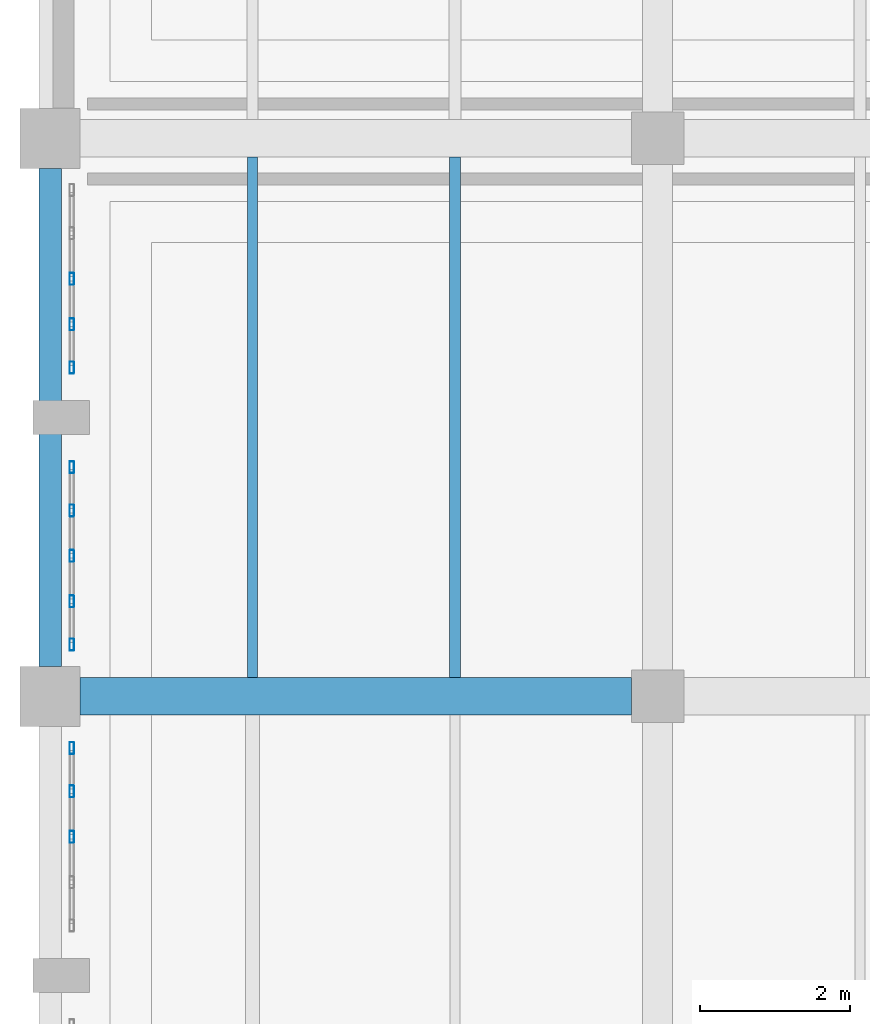
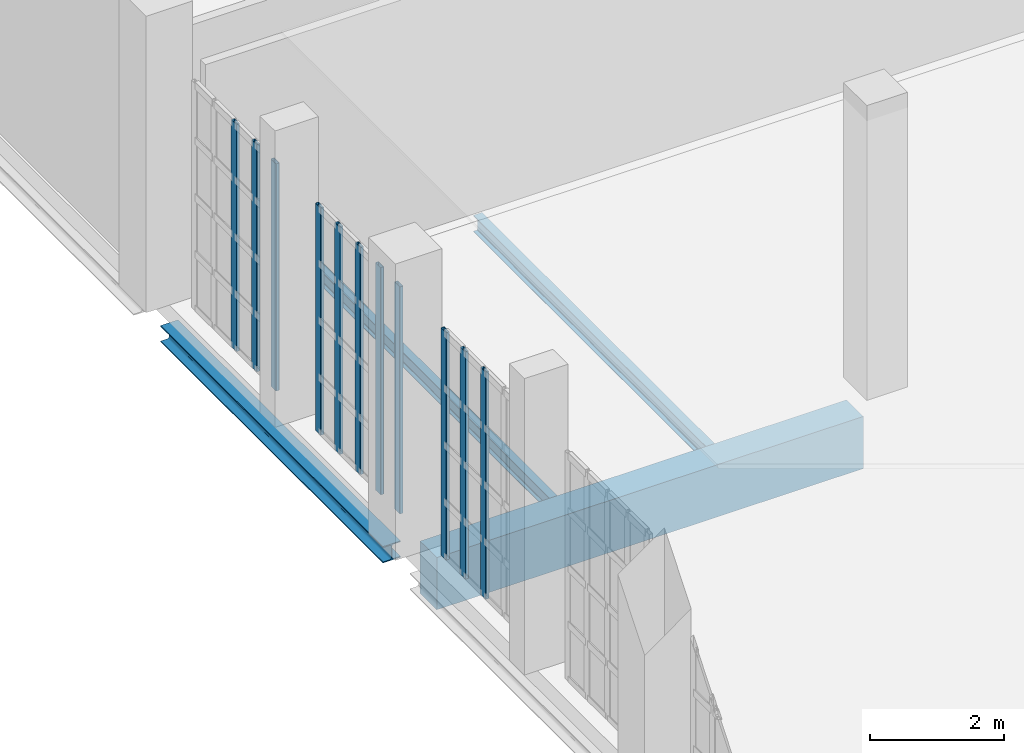
# One storey, part 244 of 372: 11 members, 4 beams, 3 elements without a shape of their own.
"""IFC4 building model written with IfcOpenShell, lengths in metres."""

from ifc_helpers import new_model, si_unit, direction, frame, origin, origin_2d, place, context, subcontext, project, spatial, rectangle, hollow_rectangle, i_section, extrude, material, material_profile, profile_set, type_object, element, aggregate, save


model = new_model("IFC4")

# Units and contexts
model_context = context("Model", 3, precision=1e-05, world=origin(), true_north=direction((0.0, 1.0)))
body_context = subcontext(model_context, "Body", "Model", "MODEL_VIEW")
ifc_project = project(units=[si_unit("LENGTHUNIT", "METRE"), si_unit("AREAUNIT", "SQUARE_METRE"), si_unit("VOLUMEUNIT", "CUBIC_METRE"), si_unit("PLANEANGLEUNIT", "RADIAN"), si_unit("MASSUNIT", "GRAM", prefix="KILO")], contexts=[model_context])

# Site, building, storey
site_placement = place(None, origin())
site = spatial("IfcSite", under=ifc_project, at=site_placement, CompositionType="ELEMENT")
building_placement = place(site_placement, origin())
building = spatial("IfcBuilding", under=site, at=building_placement, Name="Kaelora Sail Theatre", CompositionType="ELEMENT")
storey_placement = place(building_placement, origin())
storey = spatial("IfcBuildingStorey", under=building, at=storey_placement, Name="L00", CompositionType="ELEMENT", Elevation=0.0)

# Curtain wall, members
ifc_material_1 = material(Name="Anodised aluminium and solar-control low-E IGU", Category="aluminium")
curtain_wall_type = type_object("IfcCurtainWallType", Name="ARC-CW-CW-FOY1", PredefinedType="NOTDEFINED", material=ifc_material_1)
curtain_wall_1_placement = place(storey_placement, origin())
curtain_wall_1 = element("IfcCurtainWall", 1, at=curtain_wall_1_placement, inside=storey, type_object=curtain_wall_type, Name="Glazed Colonnade/Courtyard Curtain Wall FW1-W-L00-04", PredefinedType="NOTDEFINED")
ifc_material_2 = material(Name="Anodised aluminium 6063-T6", Category="aluminium")
ifc_material_profile_1 = material_profile(ifc_material_2, hollow_rectangle(XDim=0.06005859375, YDim=0.159912109375, WallThickness=0.00390625, InnerFilletRadius=0.00390625, OuterFilletRadius=0.008056640625, at=origin_2d()), Name="ALU-MULL 60x160x4")
ifc_profile_set_1 = profile_set([ifc_material_profile_1], Name="Anodised aluminium 6063-T6")
member_type = type_object("IfcMemberType", Name="ARC-MEM-ML-160", PredefinedType="MULLION", material=ifc_profile_set_1)
member_1_placement = place(storey_placement, frame((1.7900390625, 74.027587890625, 0.0), z_axis=(0.0, 0.0, 1.0), x_axis=(-1.0, 0.0, 0.0)))
member_1 = element("IfcMember", 2, at=member_1_placement, type_object=member_type, Name="CW-FOY1 mullion 3", PredefinedType="MULLION", context=body_context, shape_type="SweptSolid", body=[
    extrude(hollow_rectangle(XDim=0.06005859375, YDim=0.159912109375, WallThickness=0.00390625, InnerFilletRadius=0.00390625, OuterFilletRadius=0.008056640625, at=origin_2d()), origin(), (0.0, 0.0, 1.0), 4.136962890625),
])
member_2_placement = place(storey_placement, frame((1.7900390625, 74.6337890625, 0.0), z_axis=(0.0, 0.0, 1.0), x_axis=(-1.0, 0.0, 0.0)))
member_2 = element("IfcMember", 3, at=member_2_placement, type_object=member_type, Name="CW-FOY1 mullion 4", PredefinedType="MULLION", context=body_context, shape_type="SweptSolid", body=[
    extrude(hollow_rectangle(XDim=0.06005859375, YDim=0.159912109375, WallThickness=0.00390625, InnerFilletRadius=0.00390625, OuterFilletRadius=0.008056640625, at=origin_2d()), origin(), (0.0, 0.0, 1.0), 4.136962890625),
])
member_3_placement = place(storey_placement, frame((1.7900390625, 75.2099609375, 0.0), z_axis=(0.0, 0.0, 1.0), x_axis=(-1.0, 0.0, 0.0)))
member_3 = element("IfcMember", 4, at=member_3_placement, type_object=member_type, Name="CW-FOY1 mullion 5", PredefinedType="MULLION", context=body_context, shape_type="SweptSolid", body=[
    extrude(hollow_rectangle(XDim=0.06005859375, YDim=0.159912109375, WallThickness=0.00390625, InnerFilletRadius=0.00390625, OuterFilletRadius=0.008056640625, at=origin_2d()), origin(), (0.0, 0.0, 1.0), 4.136962890625),
])
aggregate(curtain_wall_1, [member_1, member_2, member_3])

curtain_wall_2_placement = place(storey_placement, origin())
curtain_wall_2 = element("IfcCurtainWall", 5, at=curtain_wall_2_placement, inside=storey, type_object=curtain_wall_type, Name="Glazed Colonnade/Courtyard Curtain Wall FW1-W-L00-05", PredefinedType="NOTDEFINED")
member_4_placement = place(storey_placement, frame((1.7900390625, 76.590087890625, 0.0), z_axis=(0.0, 0.0, 1.0), x_axis=(-1.0, 0.0, 0.0)))
member_4 = element("IfcMember", 6, at=member_4_placement, type_object=member_type, Name="CW-FOY1 mullion 1", PredefinedType="MULLION", context=body_context, shape_type="SweptSolid", body=[
    extrude(hollow_rectangle(XDim=0.06005859375, YDim=0.159912109375, WallThickness=0.00390625, InnerFilletRadius=0.00390625, OuterFilletRadius=0.008056640625, at=origin_2d()), origin(), (0.0, 0.0, 1.0), 4.136962890625),
])
member_5_placement = place(storey_placement, frame((1.7900390625, 77.166259765625, 0.0), z_axis=(0.0, 0.0, 1.0), x_axis=(-1.0, 0.0, 0.0)))
member_5 = element("IfcMember", 7, at=member_5_placement, type_object=member_type, Name="CW-FOY1 mullion 2", PredefinedType="MULLION", context=body_context, shape_type="SweptSolid", body=[
    extrude(hollow_rectangle(XDim=0.06005859375, YDim=0.159912109375, WallThickness=0.00390625, InnerFilletRadius=0.00390625, OuterFilletRadius=0.008056640625, at=origin_2d()), origin(), (0.0, 0.0, 1.0), 4.136962890625),
])
member_6_placement = place(storey_placement, frame((1.7900390625, 77.7724609375, 0.0), z_axis=(0.0, 0.0, 1.0), x_axis=(-1.0, 0.0, 0.0)))
member_6 = element("IfcMember", 8, at=member_6_placement, type_object=member_type, Name="CW-FOY1 mullion 3", PredefinedType="MULLION", context=body_context, shape_type="SweptSolid", body=[
    extrude(hollow_rectangle(XDim=0.06005859375, YDim=0.159912109375, WallThickness=0.00390625, InnerFilletRadius=0.00390625, OuterFilletRadius=0.008056640625, at=origin_2d()), origin(), (0.0, 0.0, 1.0), 4.136962890625),
])
member_7_placement = place(storey_placement, frame((1.7900390625, 78.378662109375, 0.0), z_axis=(0.0, 0.0, 1.0), x_axis=(-1.0, 0.0, 0.0)))
member_7 = element("IfcMember", 9, at=member_7_placement, type_object=member_type, Name="CW-FOY1 mullion 4", PredefinedType="MULLION", context=body_context, shape_type="SweptSolid", body=[
    extrude(hollow_rectangle(XDim=0.06005859375, YDim=0.159912109375, WallThickness=0.00390625, InnerFilletRadius=0.00390625, OuterFilletRadius=0.008056640625, at=origin_2d()), origin(), (0.0, 0.0, 1.0), 4.136962890625),
])
member_8_placement = place(storey_placement, frame((1.7900390625, 78.955078125, 0.0), z_axis=(0.0, 0.0, 1.0), x_axis=(-1.0, 0.0, 0.0)))
member_8 = element("IfcMember", 10, at=member_8_placement, type_object=member_type, Name="CW-FOY1 mullion 5", PredefinedType="MULLION", context=body_context, shape_type="SweptSolid", body=[
    extrude(hollow_rectangle(XDim=0.06005859375, YDim=0.159912109375, WallThickness=0.00390625, InnerFilletRadius=0.00390625, OuterFilletRadius=0.008056640625, at=origin_2d()), origin(), (0.0, 0.0, 1.0), 4.136962890625),
])
aggregate(curtain_wall_2, [member_4, member_5, member_6, member_7, member_8])

curtain_wall_3_placement = place(storey_placement, origin())
curtain_wall_3 = element("IfcCurtainWall", 11, at=curtain_wall_3_placement, inside=storey, type_object=curtain_wall_type, Name="Glazed Colonnade/Courtyard Curtain Wall FW1-W-L00-06", PredefinedType="NOTDEFINED")
member_9_placement = place(storey_placement, frame((1.7900390625, 80.284912109375, 0.0), z_axis=(0.0, 0.0, 1.0), x_axis=(-1.0, 0.0, 0.0)))
member_9 = element("IfcMember", 12, at=member_9_placement, type_object=member_type, Name="CW-FOY1 mullion 1", PredefinedType="MULLION", context=body_context, shape_type="SweptSolid", body=[
    extrude(hollow_rectangle(XDim=0.06005859375, YDim=0.159912109375, WallThickness=0.00390625, InnerFilletRadius=0.00390625, OuterFilletRadius=0.008056640625, at=origin_2d()), origin(), (0.0, 0.0, 1.0), 4.136962890625),
])
member_10_placement = place(storey_placement, frame((1.7900390625, 80.861328125, 0.0), z_axis=(0.0, 0.0, 1.0), x_axis=(-1.0, 0.0, 0.0)))
member_10 = element("IfcMember", 13, at=member_10_placement, type_object=member_type, Name="CW-FOY1 mullion 2", PredefinedType="MULLION", context=body_context, shape_type="SweptSolid", body=[
    extrude(hollow_rectangle(XDim=0.06005859375, YDim=0.159912109375, WallThickness=0.00390625, InnerFilletRadius=0.00390625, OuterFilletRadius=0.008056640625, at=origin_2d()), origin(), (0.0, 0.0, 1.0), 4.136962890625),
])
member_11_placement = place(storey_placement, frame((1.7900390625, 81.467529296875, 0.0), z_axis=(0.0, 0.0, 1.0), x_axis=(-1.0, 0.0, 0.0)))
member_11 = element("IfcMember", 14, at=member_11_placement, type_object=member_type, Name="CW-FOY1 mullion 3", PredefinedType="MULLION", context=body_context, shape_type="SweptSolid", body=[
    extrude(hollow_rectangle(XDim=0.06005859375, YDim=0.159912109375, WallThickness=0.00390625, InnerFilletRadius=0.00390625, OuterFilletRadius=0.008056640625, at=origin_2d()), origin(), (0.0, 0.0, 1.0), 4.136962890625),
])
aggregate(curtain_wall_3, [member_9, member_10, member_11])

# Beams
ifc_material_3 = material(Name="Concrete C45/55", Category="concrete")
ifc_material_profile_2 = material_profile(ifc_material_3, rectangle(XDim=0.5, YDim=0.949951171875, at=origin_2d()), Name="RC-GRD 500x950")
ifc_profile_set_2 = profile_set([ifc_material_profile_2], Name="Concrete C45/55")
beam_type_1 = type_object("IfcBeamType", Name="STR-BM-GR-RC5095", PredefinedType="T_BEAM", material=ifc_profile_set_2)
beam_1_placement = place(storey_placement, frame((1.89990234375, 75.89990234375, -0.794921875), z_axis=(1.0, 0.0, 0.0), x_axis=(0.0, 1.0, 0.0)))
element("IfcBeam", 15, at=beam_1_placement, inside=storey, type_object=beam_type_1, Name="Primary beam K 1-2 (L00)", PredefinedType="T_BEAM", context=body_context, shape_type="SweptSolid", body=[
    extrude(rectangle(XDim=0.5, YDim=0.949951171875, at=origin_2d()), origin(), (0.0, 0.0, 1.0), 7.35009765625),
])
ifc_material_4 = material(Name="Steel S355", Category="steel")
ifc_material_profile_3 = material_profile(ifc_material_4, i_section(OverallWidth=0.135009765625, OverallDepth=0.27001953125, WebThickness=0.006591796875, FlangeThickness=0.01025390625, FilletRadius=0.014892578125, at=origin_2d()), Name="IPE 270")
ifc_profile_set_3 = profile_set([ifc_material_profile_3], Name="Steel S355")
beam_type_2 = type_object("IfcBeamType", Name="STR-BM-JS-IPE270", PredefinedType="JOIST", material=ifc_profile_set_3)
beam_2_placement = place(storey_placement, frame((4.199951171875, 76.14990234375, -0.455078125), z_axis=(0.0, 1.0, 0.0), x_axis=(-1.0, 0.0, 0.0)))
element("IfcBeam", 16, at=beam_2_placement, inside=storey, type_object=beam_type_2, Name="Secondary floor joist 1/K-1 (L00)", PredefinedType="JOIST", context=body_context, shape_type="SweptSolid", body=[
    extrude(i_section(OverallWidth=0.135009765625, OverallDepth=0.27001953125, WebThickness=0.006591796875, FlangeThickness=0.01025390625, FilletRadius=0.014892578125, at=origin_2d()), origin(), (0.0, 0.0, 1.0), 6.940185546875),
])
ifc_material_5 = material(Name="Steel S355", Category="steel")
ifc_material_profile_4 = material_profile(ifc_material_5, i_section(OverallWidth=0.14990234375, OverallDepth=0.300048828125, WebThickness=0.007080078125, FlangeThickness=0.0107421875, FilletRadius=0.014892578125, at=origin_2d()), Name="IPE 300")
ifc_profile_set_4 = profile_set([ifc_material_profile_4], Name="Steel S355")
beam_type_3 = type_object("IfcBeamType", Name="STR-BM-JS-IPE300", PredefinedType="JOIST", material=ifc_profile_set_4)
beam_3_placement = place(storey_placement, frame((6.89990234375, 76.14990234375, -0.469970703125), z_axis=(0.0, 1.0, 0.0), x_axis=(-1.0, 0.0, 0.0)))
element("IfcBeam", 17, at=beam_3_placement, inside=storey, type_object=beam_type_3, Name="Secondary floor joist 1/K-2 (L00)", PredefinedType="JOIST", context=body_context, shape_type="SweptSolid", body=[
    extrude(i_section(OverallWidth=0.14990234375, OverallDepth=0.300048828125, WebThickness=0.007080078125, FlangeThickness=0.0107421875, FilletRadius=0.014892578125, at=origin_2d()), origin(), (0.0, 0.0, 1.0), 6.940185546875),
])
ifc_material_6 = material(Name="Steel S355", Category="steel")
ifc_material_profile_5 = material_profile(ifc_material_6, i_section(OverallWidth=0.300048828125, OverallDepth=0.300048828125, WebThickness=0.010986328125, FlangeThickness=0.01904296875, FilletRadius=0.027099609375, at=origin_2d()), Name="HEB 300")
ifc_profile_set_5 = profile_set([ifc_material_profile_5], Name="Steel S355")
beam_type_4 = type_object("IfcBeamType", Name="STR-BM-SP-HEB300", PredefinedType="SPANDREL", material=ifc_profile_set_5)
beam_4_placement = place(storey_placement, frame((1.5, 76.300048828125, -0.469970703125), z_axis=(0.0, 1.0, 0.0), x_axis=(-1.0, 0.0, 0.0)))
element("IfcBeam", 18, at=beam_4_placement, inside=storey, type_object=beam_type_4, Name="Primary beam 1 K-L (L00)", PredefinedType="SPANDREL", context=body_context, shape_type="SweptSolid", body=[
    extrude(i_section(OverallWidth=0.300048828125, OverallDepth=0.300048828125, WebThickness=0.010986328125, FlangeThickness=0.01904296875, FilletRadius=0.027099609375, at=origin_2d()), origin(), (0.0, 0.0, 1.0), 6.639892578125),
])

save(model, "model.ifc")
